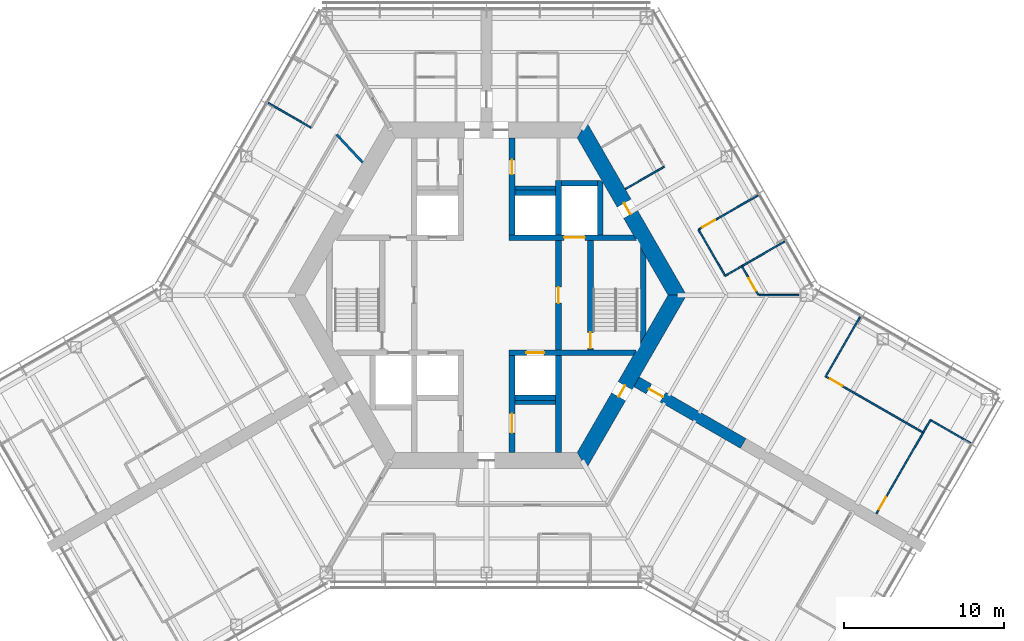
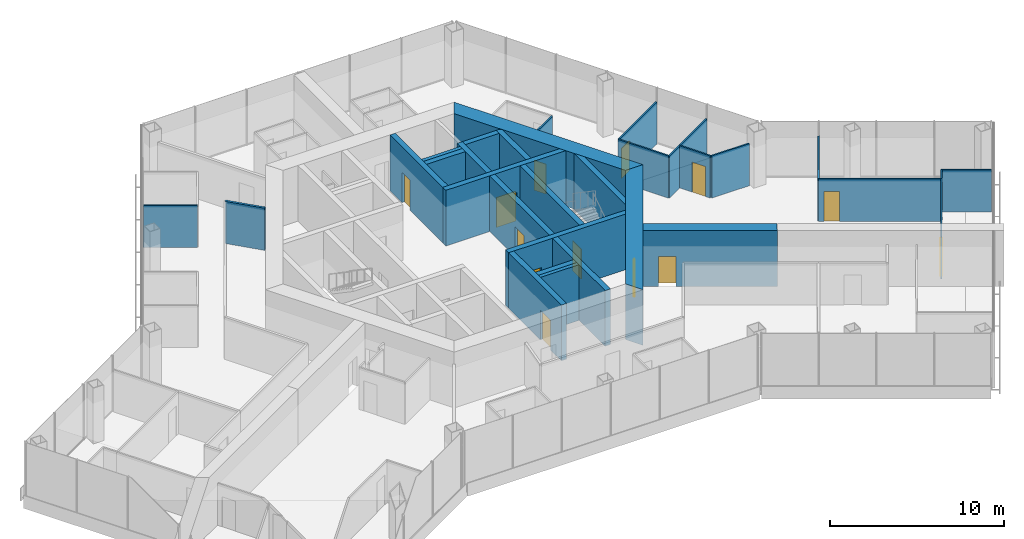
# One storey, part 14 of 18: 32 walls, 13 doors, 13 openings.
"""IFC4 building model written with IfcOpenShell, lengths in metres."""

from ifc_helpers import new_model, si_unit, direction, frame, frame_2d, origin, place, context, subcontext, project, spatial, polyline, rectangle, outline, extrude, material, layer, layer_set, type_object, element, fill, save


model = new_model("IFC4")

# Units and contexts
model_context = context("Model", 3, precision=1e-05, world=origin(), true_north=direction((0.0, 1.0)))
body_context = subcontext(model_context, "Body", "Model", "MODEL_VIEW")
ifc_project = project(units=[si_unit("LENGTHUNIT", "METRE"), si_unit("AREAUNIT", "SQUARE_METRE"), si_unit("VOLUMEUNIT", "CUBIC_METRE"), si_unit("PLANEANGLEUNIT", "RADIAN"), si_unit("MASSUNIT", "GRAM", prefix="KILO")], contexts=[model_context])

# Site, building, storey
site_placement = place(None, origin())
site = spatial("IfcSite", under=ifc_project, at=site_placement, CompositionType="ELEMENT")
building_placement = place(site_placement, origin())
building = spatial("IfcBuilding", under=site, at=building_placement, Name="Kasaneha Research Tower", CompositionType="ELEMENT")
storey_placement = place(building_placement, frame((0.0, 0.0, 179.89990234375)))
storey = spatial("IfcBuildingStorey", under=building, at=storey_placement, Name="L45", CompositionType="ELEMENT", Elevation=179.89990234375)

# Wall, opening, door
ifc_material_1 = material(Name="Concrete Fc70", Category="concrete")
ifc_layer_1 = layer(ifc_material_1, 0.35009765625)
ifc_layer_set_1 = layer_set([ifc_layer_1], Name="Core internal wall 350 Fc70")
wall_type_1 = type_object("IfcWallType", Name="Core internal wall 350 Fc70", PredefinedType="SHEAR", material=ifc_layer_set_1)
wall_1_placement = place(storey_placement, frame((1.425048828125, 3.60009765625, 0.0), z_axis=(0.0, 0.0, 1.0), x_axis=(1.0, 0.0, 0.0)))
wall_1 = element("IfcWall", 1, at=wall_1_placement, inside=storey, type_object=wall_type_1, Name="Core wall W1E L45", PredefinedType="SHEAR", context=body_context, shape_type="SweptSolid", body=[
    extrude(outline(polyline([(0.0, -0.175048828125), (3.425048828125, -0.175048828125), (4.72509765625, -0.175048828125), (7.9423828125, -0.175048828125), (7.740234375, 0.175048828125), (4.72509765625, 0.175048828125), (3.425048828125, 0.175048828125), (0.0, 0.175048828125), (0.0, -0.175048828125)])), origin(), (0.0, 0.0, 1.0), 3.900146484375),
])
opening_1_placement = place(wall_1_placement, frame((3.425048828125, 0.0, 0.0)))
opening_1 = element("IfcOpeningElement", 2, at=opening_1_placement, cuts=wall_1, Name="Opening LD-FL1-L45", PredefinedType="OPENING", context=body_context, shape_type="SweptSolid", body=[
    extrude(rectangle(XDim=1.300048828125, YDim=2.10009765625, at=frame_2d((0.64990234375, 1.050048828125))), frame((0.0, 0.18505859375, 0.0), z_axis=(0.0, -1.0, 0.0), x_axis=(1.0, 0.0, 0.0)), (0.0, 0.0, 1.0), 0.3701171875),
])
ifc_material_2 = material(Name="Steel", Category="steel")
door_type_1 = type_object("IfcDoorType", Name="Lift landing door 1300x2100", OperationType="DOUBLE_DOOR_SLIDING", PredefinedType="DOOR", material=ifc_material_2)
door_1_placement = place(opening_1_placement, origin())
door_1 = element("IfcDoor", 3, at=door_1_placement, inside=storey, type_object=door_type_1, Name="Landing door FL1 LD-FL1-L45", OperationType="DOUBLE_DOOR_SLIDING", OverallHeight=2.10009765625, OverallWidth=1.300048828125, PredefinedType="DOOR", context=body_context, shape_type="SweptSolid", body=[
    extrude(rectangle(XDim=1.300048828125, YDim=2.10009765625, at=frame_2d((0.64990234375, 1.050048828125))), frame((0.0, 0.02490234375, 0.0), z_axis=(0.0, -1.0, 0.0), x_axis=(1.0, 0.0, 0.0)), (0.0, 0.0, 1.0), 0.050048828125),
])
fill(opening_1, door_1)

wall_2_placement = place(storey_placement, frame((1.425048828125, -3.60009765625, 0.0), z_axis=(0.0, 0.0, 1.0), x_axis=(1.0, 0.0, 0.0)))
wall_2 = element("IfcWall", 4, at=wall_2_placement, inside=storey, type_object=wall_type_1, Name="Core wall W2E L45", PredefinedType="SHEAR", context=body_context, shape_type="SweptSolid", body=[
    extrude(outline(polyline([(0.0, -0.175048828125), (1.074951171875, -0.175048828125), (2.175048828125, -0.175048828125), (7.740234375, -0.175048828125), (7.9423828125, 0.175048828125), (2.175048828125, 0.175048828125), (1.074951171875, 0.175048828125), (0.0, 0.175048828125), (0.0, -0.175048828125)])), origin(), (0.0, 0.0, 1.0), 3.900146484375),
])
opening_2_placement = place(wall_2_placement, frame((1.074951171875, 0.0, 0.0)))
opening_2 = element("IfcOpeningElement", 5, at=opening_2_placement, cuts=wall_2, Name="Opening LD-LM2-L45", PredefinedType="OPENING", context=body_context, shape_type="SweptSolid", body=[
    extrude(rectangle(XDim=1.10009765625, YDim=2.10009765625, at=frame_2d((0.550048828125, 1.050048828125))), frame((0.0, 0.18505859375, 0.0), z_axis=(0.0, -1.0, 0.0), x_axis=(1.0, 0.0, 0.0)), (0.0, 0.0, 1.0), 0.3701171875),
])
ifc_material_3 = material(Name="Steel", Category="steel")
door_type_2 = type_object("IfcDoorType", Name="Lift landing door 1100x2100", OperationType="DOUBLE_DOOR_SLIDING", PredefinedType="DOOR", material=ifc_material_3)
door_2_placement = place(opening_2_placement, origin())
door_2 = element("IfcDoor", 6, at=door_2_placement, inside=storey, type_object=door_type_2, Name="Landing door LM2 LD-LM2-L45", OperationType="DOUBLE_DOOR_SLIDING", OverallHeight=2.10009765625, OverallWidth=1.10009765625, PredefinedType="DOOR", context=body_context, shape_type="SweptSolid", body=[
    extrude(rectangle(XDim=1.10009765625, YDim=2.10009765625, at=frame_2d((0.550048828125, 1.050048828125))), frame((0.0, 0.02490234375, 0.0), z_axis=(0.0, -1.0, 0.0), x_axis=(1.0, 0.0, 0.0)), (0.0, 0.0, 1.0), 0.050048828125),
])
fill(opening_2, door_2)

wall_3_placement = place(storey_placement, frame((1.60009765625, 3.77490234375, 0.0), z_axis=(0.0, 0.0, 1.0), x_axis=(0.0, 1.0, 0.0)))
wall_3 = element("IfcWall", 7, at=wall_3_placement, inside=storey, type_object=wall_type_1, Name="Core wall CNE L45", PredefinedType="SHEAR", context=body_context, shape_type="SweptSolid", body=[
    extrude(rectangle(XDim=6.050048828125, YDim=0.35009765625, at=frame_2d((3.02490234375, 0.0))), origin(), (0.0, 0.0, 1.0), 3.900146484375),
])
opening_3_placement = place(wall_3_placement, frame((3.77490234375, 0.0, 0.0)))
opening_3 = element("IfcOpeningElement", 8, at=opening_3_placement, cuts=wall_3, Name="Opening L45-D14", PredefinedType="OPENING", context=body_context, shape_type="SweptSolid", body=[
    extrude(rectangle(XDim=0.89990234375, YDim=2.10009765625, at=frame_2d((0.449951171875, 1.050048828125))), frame((0.0, 0.18505859375, 0.0), z_axis=(0.0, -1.0, 0.0), x_axis=(1.0, 0.0, 0.0)), (0.0, 0.0, 1.0), 0.3701171875),
])
ifc_material_4 = material(Name="Steel", Category="steel")
door_type_3 = type_object("IfcDoorType", Name="Toilet door FD20 900x2100", OperationType="NOTDEFINED", PredefinedType="DOOR", material=ifc_material_4)
door_3_placement = place(opening_3_placement, origin())
door_3 = element("IfcDoor", 9, at=door_3_placement, inside=storey, type_object=door_type_3, Name="Women's WC door L45-D14", OperationType="SINGLE_SWING_LEFT", OverallHeight=2.10009765625, OverallWidth=0.89990234375, PredefinedType="DOOR", context=body_context, shape_type="SweptSolid", body=[
    extrude(rectangle(XDim=0.89990234375, YDim=2.10009765625, at=frame_2d((0.449951171875, 1.050048828125))), frame((0.0, 0.02490234375, 0.0), z_axis=(0.0, -1.0, 0.0), x_axis=(1.0, 0.0, 0.0)), (0.0, 0.0, 1.0), 0.050048828125),
])
fill(opening_3, door_3)

wall_4_placement = place(storey_placement, frame((1.60009765625, -3.77490234375, 0.0), z_axis=(0.0, 0.0, 1.0), x_axis=(0.0, -1.0, 0.0)))
wall_4 = element("IfcWall", 10, at=wall_4_placement, inside=storey, type_object=wall_type_1, Name="Core wall CSE L45", PredefinedType="SHEAR", context=body_context, shape_type="SweptSolid", body=[
    extrude(rectangle(XDim=6.050048828125, YDim=0.35009765625, at=frame_2d((3.02490234375, 0.0))), origin(), (0.0, 0.0, 1.0), 3.900146484375),
])
opening_4_placement = place(wall_4_placement, frame((3.625, 0.0, 0.0)))
opening_4 = element("IfcOpeningElement", 11, at=opening_4_placement, cuts=wall_4, Name="Opening L45-D15", PredefinedType="OPENING", context=body_context, shape_type="SweptSolid", body=[
    extrude(rectangle(XDim=1.199951171875, YDim=2.10009765625, at=frame_2d((0.60009765625, 1.050048828125))), frame((0.0, 0.18505859375, 0.0), z_axis=(0.0, -1.0, 0.0), x_axis=(1.0, 0.0, 0.0)), (0.0, 0.0, 1.0), 0.3701171875),
])
ifc_material_5 = material(Name="Steel", Category="steel")
door_type_4 = type_object("IfcDoorType", Name="Accessible toilet sliding door FD20 1200x2100", OperationType="SLIDING_TO_LEFT", PredefinedType="DOOR", material=ifc_material_5)
door_4_placement = place(opening_4_placement, origin())
door_4 = element("IfcDoor", 12, at=door_4_placement, inside=storey, type_object=door_type_4, Name="Accessible WC door L45-D15", OperationType="SLIDING_TO_LEFT", OverallHeight=2.10009765625, OverallWidth=1.199951171875, PredefinedType="DOOR", context=body_context, shape_type="SweptSolid", body=[
    extrude(rectangle(XDim=1.199951171875, YDim=2.10009765625, at=frame_2d((0.60009765625, 1.050048828125))), frame((0.0, 0.02490234375, 0.0), z_axis=(0.0, -1.0, 0.0), x_axis=(1.0, 0.0, 0.0)), (0.0, 0.0, 1.0), 0.050048828125),
])
fill(opening_4, door_4)

wall_5_placement = place(storey_placement, frame((4.5, -3.425048828125, 0.0), z_axis=(0.0, 0.0, 1.0), x_axis=(0.0, 1.0, 0.0)))
wall_5 = element("IfcWall", 13, at=wall_5_placement, inside=storey, type_object=wall_type_1, Name="Core wall LBE L45", PredefinedType="SHEAR", context=body_context, shape_type="SweptSolid", body=[
    extrude(rectangle(XDim=6.85009765625, YDim=0.35009765625, at=frame_2d((3.425048828125, 0.0))), origin(), (0.0, 0.0, 1.0), 3.900146484375),
])
opening_5_placement = place(wall_5_placement, frame((2.925048828125, 0.0, 0.0)))
opening_5 = element("IfcOpeningElement", 14, at=opening_5_placement, cuts=wall_5, Name="Opening L45-D08", PredefinedType="OPENING", context=body_context, shape_type="SweptSolid", body=[
    extrude(rectangle(XDim=1.0, YDim=2.10009765625, at=frame_2d((0.5, 1.050048828125))), frame((0.0, 0.18505859375, 0.0), z_axis=(0.0, -1.0, 0.0), x_axis=(1.0, 0.0, 0.0)), (0.0, 0.0, 1.0), 0.3701171875),
])
ifc_material_6 = material(Name="Steel", Category="steel")
door_type_5 = type_object("IfcDoorType", Name="Specified fire door FD60 1000x2100", OperationType="NOTDEFINED", PredefinedType="DOOR", material=ifc_material_6)
door_5_placement = place(opening_5_placement, origin())
door_5 = element("IfcDoor", 15, at=door_5_placement, inside=storey, type_object=door_type_5, Name="Lift lobby door east L45-D08", OperationType="SINGLE_SWING_LEFT", OverallHeight=2.10009765625, OverallWidth=1.0, PredefinedType="DOOR", context=body_context, shape_type="SweptSolid", body=[
    extrude(rectangle(XDim=1.0, YDim=2.10009765625, at=frame_2d((0.5, 1.050048828125))), frame((0.0, 0.02490234375, 0.0), z_axis=(0.0, -1.0, 0.0), x_axis=(1.0, 0.0, 0.0)), (0.0, 0.0, 1.0), 0.050048828125),
])
fill(opening_5, door_5)

wall_6_placement = place(storey_placement, frame((6.5, -3.425048828125, 0.0), z_axis=(0.0, 0.0, 1.0), x_axis=(0.0, 1.0, 0.0)))
wall_6 = element("IfcWall", 16, at=wall_6_placement, inside=storey, type_object=wall_type_1, Name="Core wall ANE L45", PredefinedType="SHEAR", context=body_context, shape_type="SweptSolid", body=[
    extrude(rectangle(XDim=6.85009765625, YDim=0.35009765625, at=frame_2d((3.425048828125, 0.0))), origin(), (0.0, 0.0, 1.0), 3.900146484375),
])
opening_6_placement = place(wall_6_placement, frame((0.10009765625, 0.0, 0.0)))
opening_6 = element("IfcOpeningElement", 17, at=opening_6_placement, cuts=wall_6, Name="Opening L45-D10", PredefinedType="OPENING", context=body_context, shape_type="SweptSolid", body=[
    extrude(rectangle(XDim=1.0, YDim=2.10009765625, at=frame_2d((0.5, 1.050048828125))), frame((0.0, 0.18505859375, 0.0), z_axis=(0.0, -1.0, 0.0), x_axis=(1.0, 0.0, 0.0)), (0.0, 0.0, 1.0), 0.3701171875),
])
door_6_placement = place(opening_6_placement, origin())
door_6 = element("IfcDoor", 18, at=door_6_placement, inside=storey, type_object=door_type_5, Name="Stair 1 door L45-D10", OperationType="SINGLE_SWING_LEFT", OverallHeight=2.10009765625, OverallWidth=1.0, PredefinedType="DOOR", context=body_context, shape_type="SweptSolid", body=[
    extrude(rectangle(XDim=1.0, YDim=2.10009765625, at=frame_2d((0.5, 1.050048828125))), frame((0.0, 0.02490234375, 0.0), z_axis=(0.0, -1.0, 0.0), x_axis=(1.0, 0.0, 0.0)), (0.0, 0.0, 1.0), 0.050048828125),
])
fill(opening_6, door_6)

# Walls
wall_7_placement = place(storey_placement, frame((4.5, 3.77490234375, 0.0), z_axis=(0.0, 0.0, 1.0), x_axis=(0.0, 1.0, 0.0)))
element("IfcWall", 19, at=wall_7_placement, inside=storey, type_object=wall_type_1, Name="Core wall FNE L45", PredefinedType="SHEAR", context=body_context, shape_type="SweptSolid", body=[
    extrude(rectangle(XDim=3.400146484375, YDim=0.35009765625, at=frame_2d((1.7001953125, 0.0))), origin(), (0.0, 0.0, 1.0), 3.900146484375),
])
wall_8_placement = place(storey_placement, frame((4.5, -3.77490234375, 0.0), z_axis=(0.0, 0.0, 1.0), x_axis=(0.0, -1.0, 0.0)))
element("IfcWall", 20, at=wall_8_placement, inside=storey, type_object=wall_type_1, Name="Core wall SSE L45", PredefinedType="SHEAR", context=body_context, shape_type="SweptSolid", body=[
    extrude(rectangle(XDim=6.050048828125, YDim=0.35009765625, at=frame_2d((3.02490234375, 0.0))), origin(), (0.0, 0.0, 1.0), 3.900146484375),
])
for number, where, z_axis, x_axis, name in (
    (21, (1.77490234375, 6.39990234375, 0.0), (0.0, 0.0, 1.0), (1.0, 0.0, 0.0), "Core wall N3N L45"),
    (22, (1.77490234375, -6.39990234375, 0.0), (0.0, 0.0, 1.0), (1.0, 0.0, 0.0), "Core wall S3S L45"),
):
    element("IfcWall", number, at=place(storey_placement, frame(where, z_axis=z_axis, x_axis=x_axis)), inside=storey, type_object=wall_type_1, Name=name, PredefinedType="SHEAR", context=body_context, shape_type="SweptSolid", body=[
        extrude(rectangle(XDim=2.550048828125, YDim=0.35009765625, at=frame_2d((1.27490234375, 0.0))), origin(), (0.0, 0.0, 1.0), 3.900146484375),
    ])
wall_9_placement = place(storey_placement, frame((4.675048828125, 7.0, 0.0), z_axis=(0.0, 0.0, 1.0), x_axis=(1.0, 0.0, 0.0)))
element("IfcWall", 23, at=wall_9_placement, inside=storey, type_object=wall_type_1, Name="Core wall F1N L45", PredefinedType="SHEAR", context=body_context, shape_type="SweptSolid", body=[
    extrude(rectangle(XDim=2.25, YDim=0.35009765625, at=frame_2d((1.125, 0.0))), origin(), (0.0, 0.0, 1.0), 3.900146484375),
])
wall_10_placement = place(storey_placement, frame((7.10009765625, 3.77490234375, 0.0), z_axis=(0.0, 0.0, 1.0), x_axis=(0.0, 1.0, 0.0)))
element("IfcWall", 24, at=wall_10_placement, inside=storey, type_object=wall_type_1, Name="Core wall F1E L45", PredefinedType="SHEAR", context=body_context, shape_type="SweptSolid", body=[
    extrude(outline(polyline([(0.0, -0.175048828125), (3.2744140625, -0.175048828125), (3.400146484375, 0.0), (3.400146484375, 0.175048828125), (0.0, 0.175048828125), (0.0, -0.175048828125)])), origin(), (0.0, 0.0, 1.0), 3.900146484375),
])
wall_11_placement = place(storey_placement, frame((9.807861328125, -2.662353515625, 0.0), z_axis=(0.0, 0.0, 1.0), x_axis=(0.0, 1.0, 0.0)))
element("IfcWall", 25, at=wall_11_placement, inside=storey, type_object=wall_type_1, Name="Core wall STE L45", PredefinedType="SHEAR", context=body_context, shape_type="SweptSolid", body=[
    extrude(outline(polyline([(0.30322265625, -0.175048828125), (5.021484375, -0.175048828125), (5.6279296875, 0.175048828125), (-0.30322265625, 0.175048828125), (0.30322265625, -0.175048828125)])), origin(), (0.0, 0.0, 1.0), 3.900146484375),
])

# Wall, opening, door
ifc_material_7 = material(Name="Concrete Fc70", Category="concrete")
ifc_layer_2 = layer(ifc_material_7, 1.0)
ifc_layer_set_2 = layer_set([ifc_layer_2], Name="Core wall 1000 Fc70")
wall_type_2 = type_object("IfcWallType", Name="Core wall 1000 Fc70", PredefinedType="SHEAR", material=ifc_layer_set_2)
wall_12_placement = place(storey_placement, frame((11.92236328125, 0.0, 0.0), z_axis=(0.0, 0.0, 1.0), x_axis=(-0.500004296715, 0.866022923061, 0.0)))
wall_12 = element("IfcWall", 26, at=wall_12_placement, inside=storey, type_object=wall_type_2, Name="Core wall 030 L45", PredefinedType="SHEAR", context=body_context, shape_type="SweptSolid", body=[
    extrude(outline(polyline([(-0.28857421875, -0.5), (5.83544921875, -0.5), (6.635498046875, -0.5), (12.2109375, -0.5), (11.6337890625, 0.5), (6.635498046875, 0.5), (5.83544921875, 0.5), (0.28857421875, 0.5), (-0.28857421875, -0.5)])), origin(), (0.0, 0.0, 1.0), 3.900146484375),
])
opening_7_placement = place(wall_12_placement, frame((5.83544921875, 0.0, 0.0)))
opening_7 = element("IfcOpeningElement", 27, at=opening_7_placement, cuts=wall_12, Name="Opening L45-D04", PredefinedType="OPENING", context=body_context, shape_type="SweptSolid", body=[
    extrude(rectangle(XDim=0.800048828125, YDim=2.10009765625, at=frame_2d((0.39990234375, 1.050048828125))), frame((0.0, 0.510009765625, 0.0), z_axis=(0.0, -1.0, 0.0), x_axis=(1.0, 0.0, 0.0)), (0.0, 0.0, 1.0), 1.02001953125),
])
ifc_material_8 = material(Name="Steel", Category="steel")
door_type_6 = type_object("IfcDoorType", Name="Riser access door FD60 800x2100", OperationType="NOTDEFINED", PredefinedType="DOOR", material=ifc_material_8)
door_7_placement = place(opening_7_placement, origin())
door_7 = element("IfcDoor", 28, at=door_7_placement, inside=storey, type_object=door_type_6, Name="Pipe riser door L45-D04", OperationType="SINGLE_SWING_RIGHT", OverallHeight=2.10009765625, OverallWidth=0.800048828125, PredefinedType="DOOR", context=body_context, shape_type="SweptSolid", body=[
    extrude(rectangle(XDim=0.800048828125, YDim=2.10009765625, at=frame_2d((0.39990234375, 1.050048828125))), frame((0.0, 0.02490234375, 0.0), z_axis=(0.0, -1.0, 0.0), x_axis=(1.0, 0.0, 0.0)), (0.0, 0.0, 1.0), 0.050048828125),
])
fill(opening_7, door_7)

wall_13_placement = place(storey_placement, frame((5.961181640625, -10.324951171875, 0.0), z_axis=(0.0, 0.0, 1.0), x_axis=(0.500004296715, 0.866022923061, 0.0)))
wall_13 = element("IfcWall", 29, at=wall_13_placement, inside=storey, type_object=wall_type_2, Name="Core wall 330 L45", PredefinedType="SHEAR", context=body_context, shape_type="SweptSolid", body=[
    extrude(outline(polyline([(-0.28857421875, -0.5), (4.593994140625, -0.5), (5.39404296875, -0.5), (12.2109375, -0.5), (11.6337890625, 0.5), (5.39404296875, 0.5), (4.593994140625, 0.5), (0.28857421875, 0.5), (-0.28857421875, -0.5)])), origin(), (0.0, 0.0, 1.0), 3.900146484375),
])
opening_8_placement = place(wall_13_placement, frame((4.593994140625, 0.0, 0.0)))
opening_8 = element("IfcOpeningElement", 30, at=opening_8_placement, cuts=wall_13, Name="Opening L45-D05", PredefinedType="OPENING", context=body_context, shape_type="SweptSolid", body=[
    extrude(rectangle(XDim=0.800048828125, YDim=2.10009765625, at=frame_2d((0.39990234375, 1.050048828125))), frame((0.0, 0.510009765625, 0.0), z_axis=(0.0, -1.0, 0.0), x_axis=(1.0, 0.0, 0.0)), (0.0, 0.0, 1.0), 1.02001953125),
])
door_8_placement = place(opening_8_placement, origin())
door_8 = element("IfcDoor", 31, at=door_8_placement, inside=storey, type_object=door_type_6, Name="Pipe riser door L45-D05", OperationType="SINGLE_SWING_LEFT", OverallHeight=2.10009765625, OverallWidth=0.800048828125, PredefinedType="DOOR", context=body_context, shape_type="SweptSolid", body=[
    extrude(rectangle(XDim=0.800048828125, YDim=2.10009765625, at=frame_2d((0.39990234375, 1.050048828125))), frame((0.0, 0.02490234375, 0.0), z_axis=(0.0, -1.0, 0.0), x_axis=(1.0, 0.0, 0.0)), (0.0, 0.0, 1.0), 0.050048828125),
])
fill(opening_8, door_8)

# Walls
ifc_material_9 = material(Name="Gypsum board on steel studs, one layer each side", Category="steel")
ifc_layer_3 = layer(ifc_material_9, 0.10009765625)
ifc_layer_set_3 = layer_set([ifc_layer_3], Name="Office partition 100")
wall_type_3 = type_object("IfcWallType", Name="Office partition 100", PredefinedType="PARTITIONING", material=ifc_layer_set_3)
wall_14_placement = place(storey_placement, frame((11.099609375, 8.02490234375, 0.0), z_axis=(0.0, 0.0, 1.0), x_axis=(-0.866056901187, -0.49994544093, 0.0)))
element("IfcWall", 32, at=wall_14_placement, inside=storey, type_object=wall_type_3, Name="Office partition FAE09 L45", PredefinedType="PARTITIONING", context=body_context, shape_type="SweptSolid", body=[
    extrude(rectangle(XDim=2.780029296875, YDim=0.10009765625, at=frame_2d((1.39013671875, 0.0))), origin(), (0.0, 0.0, 1.0), 2.9501953125),
])
wall_15_placement = place(storey_placement, frame((18.619873046875, 3.3505859375, 0.0), z_axis=(0.0, 0.0, 1.0), x_axis=(-0.866043267704, -0.499969057507, 0.0)))
element("IfcWall", 33, at=wall_15_placement, inside=storey, type_object=wall_type_3, Name="Office partition FAE10 L45", PredefinedType="PARTITIONING", context=body_context, shape_type="SweptSolid", body=[
    extrude(rectangle(XDim=3.085205078125, YDim=0.10009765625, at=frame_2d((1.54248046875, 0.0))), origin(), (0.0, 0.0, 1.0), 2.9501953125),
])

# Wall, opening, door
wall_16_placement = place(storey_placement, frame((13.247802734375, 4.09521484375, 0.0), z_axis=(0.0, 0.0, 1.0), x_axis=(0.866018428791, 0.500012080849, 0.0)))
wall_16 = element("IfcWall", 34, at=wall_16_placement, inside=storey, type_object=wall_type_3, Name="Office partition FAE11 L45", PredefinedType="PARTITIONING", context=body_context, shape_type="SweptSolid", body=[
    extrude(rectangle(XDim=4.30517578125, YDim=0.10009765625, at=frame_2d((2.152587890625, 0.0))), origin(), (0.0, 0.0, 1.0), 2.9501953125),
])
opening_9_placement = place(wall_16_placement, frame((0.300048828125, 0.0, 0.0)))
opening_9 = element("IfcOpeningElement", 35, at=opening_9_placement, cuts=wall_16, Name="Opening L45-D27", PredefinedType="OPENING", context=body_context, shape_type="SweptSolid", body=[
    extrude(rectangle(XDim=0.89990234375, YDim=2.10009765625, at=frame_2d((0.449951171875, 1.050048828125))), frame((0.0, 0.06005859375, 0.0), z_axis=(0.0, -1.0, 0.0), x_axis=(1.0, 0.0, 0.0)), (0.0, 0.0, 1.0), 0.1201171875),
])
ifc_material_10 = material(Name="Timber veneer", Category="wood")
door_type_7 = type_object("IfcDoorType", Name="Office door 900x2100", OperationType="SINGLE_SWING_LEFT", PredefinedType="DOOR", material=ifc_material_10)
door_9_placement = place(opening_9_placement, origin())
door_9 = element("IfcDoor", 36, at=door_9_placement, inside=storey, type_object=door_type_7, Name="Meeting room door L45-D27", OperationType="SINGLE_SWING_LEFT", OverallHeight=2.10009765625, OverallWidth=0.89990234375, PredefinedType="DOOR", context=body_context, shape_type="SweptSolid", body=[
    extrude(rectangle(XDim=0.89990234375, YDim=2.10009765625, at=frame_2d((0.449951171875, 1.050048828125))), frame((0.0, 0.02490234375, 0.0), z_axis=(0.0, -1.0, 0.0), x_axis=(1.0, 0.0, 0.0)), (0.0, 0.0, 1.0), 0.050048828125),
])
fill(opening_9, door_9)

# Walls
wall_17_placement = place(storey_placement, frame((14.9130859375, 1.21044921875, 0.0), z_axis=(0.0, 0.0, 1.0), x_axis=(-0.499946633866, 0.866056212544, 0.0)))
element("IfcWall", 37, at=wall_17_placement, inside=storey, type_object=wall_type_3, Name="Office partition FAE12 L45", PredefinedType="PARTITIONING", context=body_context, shape_type="SweptSolid", body=[
    extrude(rectangle(XDim=3.330810546875, YDim=0.10009765625, at=frame_2d((1.66552734375, 0.0))), origin(), (0.0, 0.0, 1.0), 2.9501953125),
])
wall_18_placement = place(storey_placement, frame((15.956298828125, 1.812744140625, 0.0), z_axis=(0.0, 0.0, 1.0), x_axis=(-0.866026957163, -0.49999730946, 0.0)))
element("IfcWall", 38, at=wall_18_placement, inside=storey, type_object=wall_type_3, Name="Office partition FAE13 L45", PredefinedType="PARTITIONING", context=body_context, shape_type="SweptSolid", body=[
    extrude(rectangle(XDim=1.20458984375, YDim=0.10009765625, at=frame_2d((0.602294921875, 0.0))), origin(), (0.0, 0.0, 1.0), 2.9501953125),
])

# Wall, opening, door
wall_19_placement = place(storey_placement, frame((16.986083984375, 0.02001953125, 0.0), z_axis=(0.0, 0.0, 1.0), x_axis=(-0.498096123952, 0.867121820337, 0.0)))
wall_19 = element("IfcWall", 39, at=wall_19_placement, inside=storey, type_object=wall_type_3, Name="Office partition FAE14 L45", PredefinedType="PARTITIONING", context=body_context, shape_type="SweptSolid", body=[
    extrude(rectangle(XDim=2.0673828125, YDim=0.10009765625, at=frame_2d((1.03369140625, 0.0))), origin(), (0.0, 0.0, 1.0), 2.9501953125),
])
opening_10_placement = place(wall_19_placement, frame((0.300048828125, 0.0, 0.0)))
opening_10 = element("IfcOpeningElement", 40, at=opening_10_placement, cuts=wall_19, Name="Opening L45-D28", PredefinedType="OPENING", context=body_context, shape_type="SweptSolid", body=[
    extrude(rectangle(XDim=0.89990234375, YDim=2.10009765625, at=frame_2d((0.449951171875, 1.050048828125))), frame((0.0, 0.06005859375, 0.0), z_axis=(0.0, -1.0, 0.0), x_axis=(1.0, 0.0, 0.0)), (0.0, 0.0, 1.0), 0.1201171875),
])
door_10_placement = place(opening_10_placement, origin())
door_10 = element("IfcDoor", 41, at=door_10_placement, inside=storey, type_object=door_type_7, Name="Project room door L45-D28", OperationType="SINGLE_SWING_LEFT", OverallHeight=2.10009765625, OverallWidth=0.89990234375, PredefinedType="DOOR", context=body_context, shape_type="SweptSolid", body=[
    extrude(rectangle(XDim=0.89990234375, YDim=2.10009765625, at=frame_2d((0.449951171875, 1.050048828125))), frame((0.0, 0.02490234375, 0.0), z_axis=(0.0, -1.0, 0.0), x_axis=(1.0, 0.0, 0.0)), (0.0, 0.0, 1.0), 0.050048828125),
])
fill(opening_10, door_10)

# Walls
wall_20_placement = place(storey_placement, frame((-10.9560546875, 10.464599609375, 0.0), z_axis=(0.0, 0.0, 1.0), x_axis=(-0.866044340336, 0.499967199496, 0.0)))
element("IfcWall", 42, at=wall_20_placement, inside=storey, type_object=wall_type_3, Name="Office partition FBN13 L45", PredefinedType="PARTITIONING", context=body_context, shape_type="SweptSolid", body=[
    extrude(rectangle(XDim=3.079833984375, YDim=0.10009765625, at=frame_2d((1.5400390625, 0.0))), origin(), (0.0, 0.0, 1.0), 2.9501953125),
])
wall_21_placement = place(storey_placement, frame((27.73828125, -7.797119140625, 0.0), z_axis=(0.0, 0.0, 1.0), x_axis=(-0.504879575425, -0.863189790439, 0.0)))
element("IfcWall", 43, at=wall_21_placement, inside=storey, type_object=wall_type_3, Name="Office partition FCE01 L45", PredefinedType="PARTITIONING", context=body_context, shape_type="SweptSolid", body=[
    extrude(rectangle(XDim=0.917724609375, YDim=0.10009765625, at=frame_2d((0.458984375, 0.0))), origin(), (0.0, 0.0, 1.0), 2.9501953125),
])
wall_22_placement = place(storey_placement, frame((30.232421875, -9.23681640625, 0.0), z_axis=(0.0, 0.0, 1.0), x_axis=(-0.866069831116, 0.499923041708, 0.0)))
element("IfcWall", 44, at=wall_22_placement, inside=storey, type_object=wall_type_3, Name="Office partition FCE02 L45", PredefinedType="PARTITIONING", context=body_context, shape_type="SweptSolid", body=[
    extrude(rectangle(XDim=2.8798828125, YDim=0.10009765625, at=frame_2d((1.43994140625, 0.0))), origin(), (0.0, 0.0, 1.0), 2.9501953125),
])
wall_23_placement = place(storey_placement, frame((21.192138671875, -5.076171875, 0.0), z_axis=(0.0, 0.0, 1.0), x_axis=(0.500028586798, 0.86600889856, 0.0)))
element("IfcWall", 45, at=wall_23_placement, inside=storey, type_object=wall_type_3, Name="Office partition FCE03 L45", PredefinedType="PARTITIONING", context=body_context, shape_type="SweptSolid", body=[
    extrude(rectangle(XDim=4.280029296875, YDim=0.10009765625, at=frame_2d((2.14013671875, 0.0))), origin(), (0.0, 0.0, 1.0), 2.9501953125),
])

# Wall, opening, door
wall_24_placement = place(storey_placement, frame((27.281494140625, -8.587158203125, 0.0), z_axis=(0.0, 0.0, 1.0), x_axis=(-0.866315083588, 0.499497923867, 0.0)))
wall_24 = element("IfcWall", 46, at=wall_24_placement, inside=storey, type_object=wall_type_3, Name="Office partition FCE04 L45", PredefinedType="PARTITIONING", context=body_context, shape_type="SweptSolid", body=[
    extrude(rectangle(XDim=7.029052734375, YDim=0.10009765625, at=frame_2d((3.5146484375, 0.0))), origin(), (0.0, 0.0, 1.0), 2.9501953125),
])
opening_11_placement = place(wall_24_placement, frame((5.8291015625, 0.0, 0.0)))
opening_11 = element("IfcOpeningElement", 47, at=opening_11_placement, cuts=wall_24, Name="Opening L45-D41", PredefinedType="OPENING", context=body_context, shape_type="SweptSolid", body=[
    extrude(rectangle(XDim=0.89990234375, YDim=2.10009765625, at=frame_2d((0.449951171875, 1.050048828125))), frame((0.0, 0.06005859375, 0.0), z_axis=(0.0, -1.0, 0.0), x_axis=(1.0, 0.0, 0.0)), (0.0, 0.0, 1.0), 0.1201171875),
])
door_11_placement = place(opening_11_placement, origin())
door_11 = element("IfcDoor", 48, at=door_11_placement, inside=storey, type_object=door_type_7, Name="Large meeting room door L45-D41", OperationType="SINGLE_SWING_RIGHT", OverallHeight=2.10009765625, OverallWidth=0.89990234375, PredefinedType="DOOR", context=body_context, shape_type="SweptSolid", body=[
    extrude(rectangle(XDim=0.89990234375, YDim=2.10009765625, at=frame_2d((0.449951171875, 1.050048828125))), frame((0.0, 0.02490234375, 0.0), z_axis=(0.0, -1.0, 0.0), x_axis=(1.0, 0.0, 0.0)), (0.0, 0.0, 1.0), 0.050048828125),
])
fill(opening_11, door_11)

wall_25_placement = place(storey_placement, frame((24.364990234375, -13.639892578125, 0.0), z_axis=(0.0, 0.0, 1.0), x_axis=(0.499991719831, 0.86603018429, 0.0)))
wall_25 = element("IfcWall", 49, at=wall_25_placement, inside=storey, type_object=wall_type_3, Name="Office partition FCE05 L45", PredefinedType="PARTITIONING", context=body_context, shape_type="SweptSolid", body=[
    extrude(rectangle(XDim=5.833984375, YDim=0.10009765625, at=frame_2d((2.9169921875, 0.0))), origin(), (0.0, 0.0, 1.0), 2.9501953125),
])
opening_12_placement = place(wall_25_placement, frame((0.300048828125, 0.0, 0.0)))
opening_12 = element("IfcOpeningElement", 50, at=opening_12_placement, cuts=wall_25, Name="Opening L45-D42", PredefinedType="OPENING", context=body_context, shape_type="SweptSolid", body=[
    extrude(rectangle(XDim=0.89990234375, YDim=2.10009765625, at=frame_2d((0.449951171875, 1.050048828125))), frame((0.0, 0.06005859375, 0.0), z_axis=(0.0, -1.0, 0.0), x_axis=(1.0, 0.0, 0.0)), (0.0, 0.0, 1.0), 0.1201171875),
])
door_12_placement = place(opening_12_placement, origin())
door_12 = element("IfcDoor", 51, at=door_12_placement, inside=storey, type_object=door_type_7, Name="Manager's office door L45-D42", OperationType="SINGLE_SWING_LEFT", OverallHeight=2.10009765625, OverallWidth=0.89990234375, PredefinedType="DOOR", context=body_context, shape_type="SweptSolid", body=[
    extrude(rectangle(XDim=0.89990234375, YDim=2.10009765625, at=frame_2d((0.449951171875, 1.050048828125))), frame((0.0, 0.02490234375, 0.0), z_axis=(0.0, -1.0, 0.0), x_axis=(1.0, 0.0, 0.0)), (0.0, 0.0, 1.0), 0.050048828125),
])
fill(opening_12, door_12)

# Wall
wall_26_placement = place(storey_placement, frame((19.5185546875, 0.0, 0.0), z_axis=(0.0, 0.0, 1.0), x_axis=(-1.0, 0.0, 0.0)))
element("IfcWall", 52, at=wall_26_placement, inside=storey, type_object=wall_type_3, Name="Office partition closer PT5 L45", PredefinedType="PARTITIONING", context=body_context, shape_type="SweptSolid", body=[
    extrude(rectangle(XDim=2.477783203125, YDim=0.10009765625, at=frame_2d((1.23876953125, 0.0))), origin(), (0.0, 0.0, 1.0), 2.9501953125),
])

# Wall, opening, door
ifc_material_11 = material(Name="Concrete Fc70", Category="concrete")
ifc_layer_4 = layer(ifc_material_11, 0.699951171875)
ifc_layer_set_4 = layer_set([ifc_layer_4], Name="Spine wall 700 Fc70")
wall_type_4 = type_object("IfcWallType", Name="Spine wall 700 Fc70", PredefinedType="SHEAR", material=ifc_layer_set_4)
wall_27_placement = place(storey_placement, frame((9.374755859375, -5.41259765625, 0.0), z_axis=(0.0, 0.0, 1.0), x_axis=(0.866032377459, -0.499987921047, 0.0)))
wall_27 = element("IfcWall", 53, at=wall_27_placement, inside=storey, type_object=wall_type_4, Name="Spine wall C L45", PredefinedType="SHEAR", context=body_context, shape_type="SweptSolid", body=[
    extrude(rectangle(XDim=7.695556640625, YDim=0.699951171875, at=frame_2d((3.84765625, 0.0))), origin(), (0.0, 0.0, 1.0), 3.900146484375),
])
opening_13_placement = place(wall_27_placement, frame((0.89990234375, 0.0, 0.0)))
opening_13 = element("IfcOpeningElement", 54, at=opening_13_placement, cuts=wall_27, Name="Opening L45-D19", PredefinedType="OPENING", context=body_context, shape_type="SweptSolid", body=[
    extrude(rectangle(XDim=1.0, YDim=2.10009765625, at=frame_2d((0.5, 1.050048828125))), frame((0.0, 0.35986328125, 0.0), z_axis=(0.0, -1.0, 0.0), x_axis=(1.0, 0.0, 0.0)), (0.0, 0.0, 1.0), 0.719970703125),
])
door_13_placement = place(opening_13_placement, origin())
door_13 = element("IfcDoor", 55, at=door_13_placement, inside=storey, type_object=door_type_5, Name="Spine doorway C L45-D19", OperationType="SINGLE_SWING_LEFT", OverallHeight=2.10009765625, OverallWidth=1.0, PredefinedType="DOOR", context=body_context, shape_type="SweptSolid", body=[
    extrude(rectangle(XDim=1.0, YDim=2.10009765625, at=frame_2d((0.5, 1.050048828125))), frame((0.0, 0.02490234375, 0.0), z_axis=(0.0, -1.0, 0.0), x_axis=(1.0, 0.0, 0.0)), (0.0, 0.0, 1.0), 0.050048828125),
])
fill(opening_13, door_13)

# Walls
ifc_material_12 = material(Name="Gypsum board on steel studs, two layers each side", Category="steel")
ifc_layer_5 = layer(ifc_material_12, 0.14990234375)
ifc_layer_set_5 = layer_set([ifc_layer_5], Name="Suite partition 150")
wall_type_5 = type_object("IfcWallType", Name="Suite partition 150", PredefinedType="PARTITIONING", material=ifc_layer_set_5)
wall_28_placement = place(storey_placement, frame((-9.360107421875, 10.03759765625, 0.0), z_axis=(0.0, 0.0, 1.0), x_axis=(0.681997114248, -0.731354863358, 0.0)))
element("IfcWall", 56, at=wall_28_placement, inside=storey, type_object=wall_type_5, Name="Suite partition FBN04 L45", PredefinedType="PARTITIONING", context=body_context, shape_type="SweptSolid", body=[
    extrude(outline(polyline([(0.0, -0.074951171875), (2.384033203125, -0.074951171875), (2.384033203125, 0.0), (2.382080078125, 0.074951171875), (0.0, 0.074951171875), (0.0, -0.074951171875)])), origin(), (0.0, 0.0, 1.0), 2.9501953125),
])
ifc_material_13 = material(Name="Concrete block lining", Category="concrete")
ifc_layer_6 = layer(ifc_material_13, 0.25)
ifc_layer_set_6 = layer_set([ifc_layer_6], Name="WC plumbing wall 250")
wall_type_6 = type_object("IfcWallType", Name="WC plumbing wall 250", PredefinedType="PLUMBINGWALL", material=ifc_layer_set_6)
for number, where, z_axis, x_axis, name in (
    (57, (1.77490234375, 6.699951171875, 0.0), (0.0, 0.0, 1.0), (1.0, 0.0, 0.0), "WC plumbing wall F L45"),
    (58, (1.77490234375, -6.699951171875, 0.0), (0.0, 0.0, 1.0), (1.0, 0.0, 0.0), "WC plumbing wall A L45"),
):
    element("IfcWall", number, at=place(storey_placement, frame(where, z_axis=z_axis, x_axis=x_axis)), inside=storey, type_object=wall_type_6, Name=name, PredefinedType="PLUMBINGWALL", context=body_context, shape_type="SweptSolid", body=[
        extrude(rectangle(XDim=2.550048828125, YDim=0.25, at=frame_2d((1.27490234375, 0.0))), origin(), (0.0, 0.0, 1.0), 3.900146484375),
    ])

save(model, "model.ifc")
